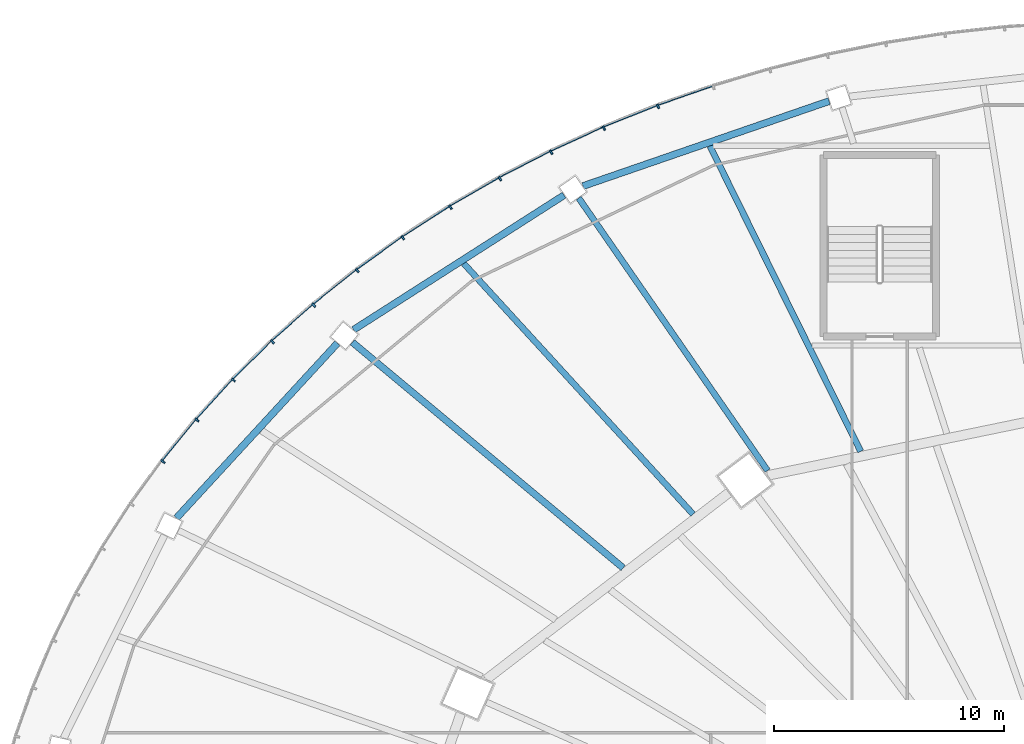
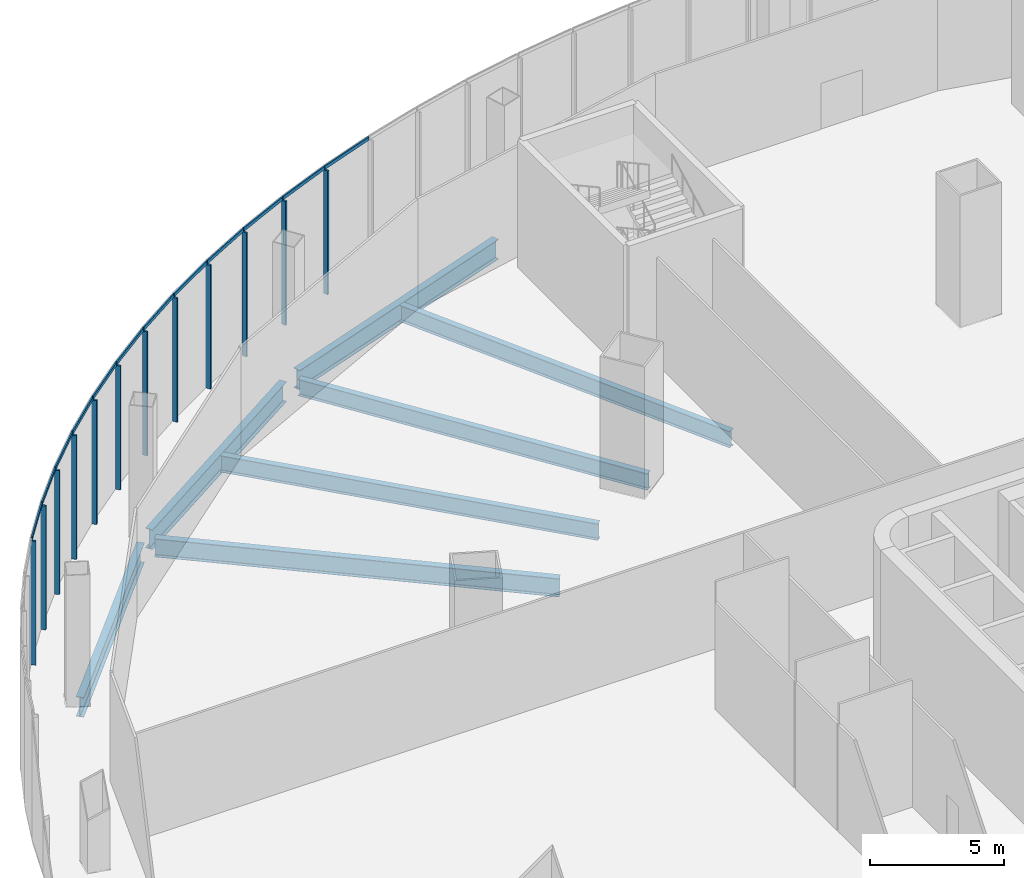
# One storey, part 13 of 37: 24 members, 7 beams, 3 elements without a shape of their own.
"""IFC4 building model written with IfcOpenShell, lengths in metres."""

from ifc_helpers import new_model, si_unit, direction, frame, origin, origin_2d, place, context, subcontext, project, spatial, rectangle, i_section, extrude, material, layer, layer_set, material_profile, profile_set, type_object, element, aggregate, save


model = new_model("IFC4")

# Units and contexts
model_context = context("Model", 3, precision=1e-05, world=origin(), true_north=direction((0.0, 1.0)))
body_context = subcontext(model_context, "Body", "Model", "MODEL_VIEW")
ifc_project = project(units=[si_unit("LENGTHUNIT", "METRE"), si_unit("AREAUNIT", "SQUARE_METRE"), si_unit("VOLUMEUNIT", "CUBIC_METRE"), si_unit("PLANEANGLEUNIT", "RADIAN"), si_unit("MASSUNIT", "GRAM", prefix="KILO")], contexts=[model_context])

# Site, building, storey
site_placement = place(None, origin())
site = spatial("IfcSite", under=ifc_project, at=site_placement, CompositionType="ELEMENT")
building_placement = place(site_placement, origin())
building = spatial("IfcBuilding", under=site, at=building_placement, Name="Sahrelin Media Tower", CompositionType="ELEMENT")
storey_placement = place(building_placement, frame((0.0, 0.0, 31.39990234375)))
storey = spatial("IfcBuildingStorey", under=building, at=storey_placement, Name="L04", CompositionType="ELEMENT", Elevation=31.39990234375)

# Curtain wall, members
ifc_material_1 = material(Name="Champagne anodised aluminium 6063-T6", Category="aluminium")
ifc_layer = layer(ifc_material_1, 0.14990234375)
ifc_layer_set = layer_set([ifc_layer], Name="Podium ribbon curtain wall")
curtain_wall_type = type_object("IfcCurtainWallType", Name="Podium ribbon curtain wall", PredefinedType="NOTDEFINED", material=ifc_layer_set)
curtain_wall_1_placement = place(storey_placement, frame((-12.94091796875, 40.56884765625, 0.0), z_axis=(0.0, 0.0, 1.0), x_axis=(1.0, 0.0, 0.0)))
curtain_wall_1 = element("IfcCurtainWall", 1, at=curtain_wall_1_placement, inside=storey, type_object=curtain_wall_type, Name="L04:CW:L04-P07", PredefinedType="NOTDEFINED")
ifc_material_profile_1 = material_profile(ifc_material_1, rectangle(XDim=0.080078125, YDim=0.199951171875, at=origin_2d()), Name="Mullion 80x200")
ifc_profile_set_1 = profile_set([ifc_material_profile_1], Name="Champagne anodised aluminium 6063-T6")
member_type_1 = type_object("IfcMemberType", Name="Mullion 80x200 CW5", PredefinedType="MULLION", material=ifc_profile_set_1)
member_1_placement = place(storey_placement, frame((-20.292236328125, 38.257568359375, 0.0), z_axis=(0.0, 0.0, 1.0), x_axis=(-0.928270482181, -0.371905783648, 0.0)))
member_1 = element("IfcMember", 2, at=member_1_placement, type_object=member_type_1, Name="L04:CWM4:L04-P07", PredefinedType="MULLION", context=body_context, shape_type="SweptSolid", body=[
    extrude(rectangle(XDim=0.080078125, YDim=0.199951171875, at=origin_2d()), origin(), (0.0, 0.0, 1.0), 5.650146484375),
])
member_2_placement = place(storey_placement, frame((-22.649658203125, 37.31298828125, 0.0), z_axis=(0.0, 0.0, 1.0), x_axis=(-0.909841810065, -0.414955275491, 0.0)))
member_2 = element("IfcMember", 3, at=member_2_placement, type_object=member_type_1, Name="L04:CWM5:L04-P07", PredefinedType="MULLION", context=body_context, shape_type="SweptSolid", body=[
    extrude(rectangle(XDim=0.080078125, YDim=0.199951171875, at=origin_2d()), origin(), (0.0, 0.0, 1.0), 5.650146484375),
])

curtain_wall_2_placement = place(storey_placement, frame((-25.0, 36.373046875, 0.0), z_axis=(0.0, 0.0, 1.0), x_axis=(1.0, 0.0, 0.0)))
curtain_wall_2 = element("IfcCurtainWall", 4, at=curtain_wall_2_placement, inside=storey, type_object=curtain_wall_type, Name="L04:CW:L04-P08", PredefinedType="NOTDEFINED")
member_3_placement = place(storey_placement, frame((-24.945068359375, 36.266357421875, 0.0), z_axis=(0.0, 0.0, 1.0), x_axis=(-0.889123403251, -0.457667536309, 0.0)))
member_3 = element("IfcMember", 5, at=member_3_placement, type_object=member_type_1, Name="L04:CWM1:L04-P08", PredefinedType="MULLION", context=body_context, shape_type="SweptSolid", body=[
    extrude(rectangle(XDim=0.080078125, YDim=0.199951171875, at=origin_2d()), origin(), (0.0, 0.0, 1.0), 5.650146484375),
])
member_4_placement = place(storey_placement, frame((-27.172119140625, 35.120361328125, 0.0), z_axis=(0.0, 0.0, 1.0), x_axis=(-0.866028894422, -0.49999395399, 0.0)))
member_4 = element("IfcMember", 6, at=member_4_placement, type_object=member_type_1, Name="L04:CWM2:L04-P08", PredefinedType="MULLION", context=body_context, shape_type="SweptSolid", body=[
    extrude(rectangle(XDim=0.080078125, YDim=0.199951171875, at=origin_2d()), origin(), (0.0, 0.0, 1.0), 5.650146484375),
])
member_5_placement = place(storey_placement, frame((-29.32421875, 33.877685546875, 0.0), z_axis=(0.0, 0.0, 1.0), x_axis=(-0.840519327336, -0.541781561494, 0.0)))
member_5 = element("IfcMember", 7, at=member_5_placement, type_object=member_type_1, Name="L04:CWM3:L04-P08", PredefinedType="MULLION", context=body_context, shape_type="SweptSolid", body=[
    extrude(rectangle(XDim=0.080078125, YDim=0.199951171875, at=origin_2d()), origin(), (0.0, 0.0, 1.0), 5.650146484375),
])
member_6_placement = place(storey_placement, frame((-31.39599609375, 32.54248046875, 0.0), z_axis=(0.0, 0.0, 1.0), x_axis=(-0.812532432251, -0.582915985834, 0.0)))
member_6 = element("IfcMember", 8, at=member_6_placement, type_object=member_type_1, Name="L04:CWM4:L04-P08", PredefinedType="MULLION", context=body_context, shape_type="SweptSolid", body=[
    extrude(rectangle(XDim=0.080078125, YDim=0.199951171875, at=origin_2d()), origin(), (0.0, 0.0, 1.0), 5.650146484375),
])
member_7_placement = place(storey_placement, frame((-33.381591796875, 31.118408203125, 0.0), z_axis=(0.0, 0.0, 1.0), x_axis=(-0.781960183728, -0.623328381405, 0.0)))
member_7 = element("IfcMember", 9, at=member_7_placement, type_object=member_type_1, Name="L04:CWM5:L04-P08", PredefinedType="MULLION", context=body_context, shape_type="SweptSolid", body=[
    extrude(rectangle(XDim=0.080078125, YDim=0.199951171875, at=origin_2d()), origin(), (0.0, 0.0, 1.0), 5.650146484375),
])

curtain_wall_3_placement = place(storey_placement, frame((-35.355224609375, 29.698486328125, 0.0), z_axis=(0.0, 0.0, 1.0), x_axis=(1.0, 0.0, 0.0)))
curtain_wall_3 = element("IfcCurtainWall", 10, at=curtain_wall_3_placement, inside=storey, type_object=curtain_wall_type, Name="L04:CW:L04-P09", PredefinedType="NOTDEFINED")
member_8_placement = place(storey_placement, frame((-35.27587890625, 29.608642578125, 0.0), z_axis=(0.0, 0.0, 1.0), x_axis=(-0.748788005735, -0.662809567272, 0.0)))
member_8 = element("IfcMember", 11, at=member_8_placement, type_object=member_type_1, Name="L04:CWM1:L04-P09", PredefinedType="MULLION", context=body_context, shape_type="SweptSolid", body=[
    extrude(rectangle(XDim=0.080078125, YDim=0.199951171875, at=origin_2d()), origin(), (0.0, 0.0, 1.0), 5.650146484375),
])
member_9_placement = place(storey_placement, frame((-37.072998046875, 28.017822265625, 0.0), z_axis=(0.0, 0.0, 1.0), x_axis=(-0.712973923933, -0.70119054742, 0.0)))
member_9 = element("IfcMember", 12, at=member_9_placement, type_object=member_type_1, Name="L04:CWM2:L04-P09", PredefinedType="MULLION", context=body_context, shape_type="SweptSolid", body=[
    extrude(rectangle(XDim=0.080078125, YDim=0.199951171875, at=origin_2d()), origin(), (0.0, 0.0, 1.0), 5.650146484375),
])
member_10_placement = place(storey_placement, frame((-38.768798828125, 26.3505859375, 0.0), z_axis=(0.0, 0.0, 1.0), x_axis=(-0.67442997344, -0.738338818514, 0.0)))
member_10 = element("IfcMember", 13, at=member_10_placement, type_object=member_type_1, Name="L04:CWM3:L04-P09", PredefinedType="MULLION", context=body_context, shape_type="SweptSolid", body=[
    extrude(rectangle(XDim=0.080078125, YDim=0.199951171875, at=origin_2d()), origin(), (0.0, 0.0, 1.0), 5.650146484375),
])
member_11_placement = place(storey_placement, frame((-40.35791015625, 24.611083984375, 0.0), z_axis=(0.0, 0.0, 1.0), x_axis=(-0.633234995933, -0.77395958546, 0.0)))
member_11 = element("IfcMember", 14, at=member_11_placement, type_object=member_type_1, Name="L04:CWM4:L04-P09", PredefinedType="MULLION", context=body_context, shape_type="SweptSolid", body=[
    extrude(rectangle(XDim=0.080078125, YDim=0.199951171875, at=origin_2d()), origin(), (0.0, 0.0, 1.0), 5.650146484375),
])
member_12_placement = place(storey_placement, frame((-41.836669921875, 22.80419921875, 0.0), z_axis=(0.0, 0.0, 1.0), x_axis=(-0.589385309161, -0.807852064022, 0.0)))
member_12 = element("IfcMember", 15, at=member_12_placement, type_object=member_type_1, Name="L04:CWM5:L04-P09", PredefinedType="MULLION", context=body_context, shape_type="SweptSolid", body=[
    extrude(rectangle(XDim=0.080078125, YDim=0.199951171875, at=origin_2d()), origin(), (0.0, 0.0, 1.0), 5.650146484375),
])

# Beams
ifc_material_2 = material(Name="Steel S355", Category="steel")
ifc_material_profile_2 = material_profile(ifc_material_2, i_section(OverallWidth=0.30322265625, OverallDepth=0.903076171875, WebThickness=0.01513671875, FlangeThickness=0.020263671875, FilletRadius=0.01904296875, at=origin_2d()), Name="UB 914x305x201")
ifc_profile_set_2 = profile_set([ifc_material_profile_2], Name="Steel S355")
beam_type_1 = type_object("IfcBeamType", Name="Podium edge girder PE11", PredefinedType="BEAM", material=ifc_profile_set_2)
beam_1_placement = place(storey_placement, frame((-12.848876953125, 38.489990234375, -0.6513671875), z_axis=(-0.94527240249, -0.32628221694, 0.0), x_axis=(0.32628221694, -0.94527240249, 0.0)))
element("IfcBeam", 16, at=beam_1_placement, inside=storey, type_object=beam_type_1, Name="Podium edge girder L04-08", PredefinedType="BEAM", context=body_context, shape_type="SweptSolid", body=[
    extrude(i_section(OverallWidth=0.30322265625, OverallDepth=0.903076171875, WebThickness=0.01513671875, FlangeThickness=0.020263671875, FilletRadius=0.01904296875, at=origin_2d()), origin(), (0.0, 0.0, 1.0), 11.329345703125),
])
beam_2_placement = place(storey_placement, frame((-24.37939453125, 34.3984375, -0.6513671875), z_axis=(-0.842485743715, -0.538718638657, 0.0), x_axis=(0.538718638657, -0.842485743715, 0.0)))
element("IfcBeam", 17, at=beam_2_placement, inside=storey, type_object=beam_type_1, Name="Podium edge girder L04-09", PredefinedType="BEAM", context=body_context, shape_type="SweptSolid", body=[
    extrude(i_section(OverallWidth=0.30322265625, OverallDepth=0.903076171875, WebThickness=0.01513671875, FlangeThickness=0.020263671875, FilletRadius=0.01904296875, at=origin_2d()), origin(), (0.0, 0.0, 1.0), 10.87744140625),
])
beam_3_placement = place(storey_placement, frame((-34.246337890625, 27.952880859375, -0.6513671875), z_axis=(-0.677370529771, -0.735642008995, 0.0), x_axis=(0.735642008995, -0.677370529771, 0.0)))
element("IfcBeam", 18, at=beam_3_placement, inside=storey, type_object=beam_type_1, Name="Podium edge girder L04-10", PredefinedType="BEAM", context=body_context, shape_type="SweptSolid", body=[
    extrude(i_section(OverallWidth=0.30322265625, OverallDepth=0.903076171875, WebThickness=0.01513671875, FlangeThickness=0.020263671875, FilletRadius=0.01904296875, at=origin_2d()), origin(), (0.0, 0.0, 1.0), 10.340087890625),
])
ifc_material_profile_3 = material_profile(ifc_material_2, i_section(OverallWidth=0.291748046875, OverallDepth=0.8349609375, WebThickness=0.013916015625, FlangeThickness=0.018798828125, FilletRadius=0.017822265625, at=origin_2d()), Name="UB 838x292x176")
ifc_profile_set_3 = profile_set([ifc_material_profile_3], Name="Steel S355")
beam_type_2 = type_object("IfcBeamType", Name="Radial primary beam PB10", PredefinedType="BEAM", material=ifc_profile_set_3)
beam_4_placement = place(storey_placement, frame((-21.809326171875, 18.174560546875, -0.6171875), z_axis=(-0.768229105739, 0.640175008178, 0.0), x_axis=(-0.640175008178, -0.768229105739, 0.0)))
element("IfcBeam", 19, at=beam_4_placement, inside=storey, type_object=beam_type_2, Name="Radial beam L04-12", PredefinedType="BEAM", context=body_context, shape_type="SweptSolid", body=[
    extrude(i_section(OverallWidth=0.291748046875, OverallDepth=0.8349609375, WebThickness=0.013916015625, FlangeThickness=0.018798828125, FilletRadius=0.017822265625, at=origin_2d()), origin(), (0.0, 0.0, 1.0), 15.342041015625),
])
ifc_material_profile_4 = material_profile(ifc_material_2, i_section(OverallWidth=0.26513671875, OverallDepth=0.75390625, WebThickness=0.0126953125, FlangeThickness=0.017578125, FilletRadius=0.0166015625, at=origin_2d()), Name="UB 762x267x147")
ifc_profile_set_4 = profile_set([ifc_material_profile_4], Name="Steel S355")
beam_type_3 = type_object("IfcBeamType", Name="Radial primary beam PB9", PredefinedType="BEAM", material=ifc_profile_set_4)
beam_5_placement = place(storey_placement, frame((-15.527099609375, 22.411376953125, -0.576904296875), z_axis=(-0.569493278726, 0.821995988729, 0.0), x_axis=(-0.821995988729, -0.569493278726, 0.0)))
element("IfcBeam", 20, at=beam_5_placement, inside=storey, type_object=beam_type_3, Name="Radial beam L04-11", PredefinedType="BEAM", context=body_context, shape_type="SweptSolid", body=[
    extrude(i_section(OverallWidth=0.26513671875, OverallDepth=0.75390625, WebThickness=0.0126953125, FlangeThickness=0.017578125, FilletRadius=0.0166015625, at=origin_2d()), origin(), (0.0, 0.0, 1.0), 14.427734375),
])
ifc_material_profile_5 = material_profile(ifc_material_2, i_section(OverallWidth=0.26513671875, OverallDepth=0.75390625, WebThickness=0.0126953125, FlangeThickness=0.017578125, FilletRadius=0.0166015625, at=origin_2d()), Name="UB 762x267x147")
ifc_profile_set_5 = profile_set([ifc_material_profile_5], Name="Steel S355")
beam_type_4 = type_object("IfcBeamType", Name="Radial secondary beam SB9", PredefinedType="BEAM", material=ifc_profile_set_5)
beam_6_placement = place(storey_placement, frame((-11.47412109375, 23.247314453125, -0.576904296875), z_axis=(-0.442602611298, 0.896717864477, 0.0), x_axis=(-0.896717864477, -0.442602611298, 0.0)))
element("IfcBeam", 21, at=beam_6_placement, inside=storey, type_object=beam_type_4, Name="Secondary beam L04-08", PredefinedType="BEAM", context=body_context, shape_type="SweptSolid", body=[
    extrude(i_section(OverallWidth=0.26513671875, OverallDepth=0.75390625, WebThickness=0.0126953125, FlangeThickness=0.017578125, FilletRadius=0.0166015625, at=origin_2d()), origin(), (0.0, 0.0, 1.0), 14.8232421875),
])
beam_7_placement = place(storey_placement, frame((-18.7685546875, 20.514892578125, -0.576904296875), z_axis=(-0.675004282666, 0.737813810106, 0.0), x_axis=(-0.737813810106, -0.675004282666, 0.0)))
element("IfcBeam", 22, at=beam_7_placement, inside=storey, type_object=beam_type_4, Name="Secondary beam L04-09", PredefinedType="BEAM", context=body_context, shape_type="SweptSolid", body=[
    extrude(i_section(OverallWidth=0.26513671875, OverallDepth=0.75390625, WebThickness=0.0126953125, FlangeThickness=0.017578125, FilletRadius=0.0166015625, at=origin_2d()), origin(), (0.0, 0.0, 1.0), 14.7861328125),
])

# Member
ifc_material_profile_6 = material_profile(ifc_material_1, rectangle(XDim=0.06005859375, YDim=0.14990234375, at=origin_2d()), Name="Transom 60x150")
ifc_profile_set_6 = profile_set([ifc_material_profile_6], Name="Champagne anodised aluminium 6063-T6")
member_type_2 = type_object("IfcMemberType", Name="Transom 60x150 CW5", PredefinedType="USERDEFINED", material=ifc_profile_set_6)
member_13_placement = place(storey_placement, frame((-17.94921875, 39.146728515625, 5.72509765625), z_axis=(-0.944469242615, -0.328599832248, 0.0), x_axis=(0.328599832248, -0.944469242615, 0.0)))
member_13 = element("IfcMember", 23, at=member_13_placement, type_object=member_type_2, Name="L04:CWT3a:L04-P07", ObjectType="TRANSOM", PredefinedType="USERDEFINED", context=body_context, shape_type="SweptSolid", body=[
    extrude(rectangle(XDim=0.06005859375, YDim=0.14990234375, at=origin_2d()), origin(), (0.0, 0.0, 1.0), 2.510498046875),
])

member_14_placement = place(storey_placement, frame((-20.364501953125, 38.303955078125, 5.72509765625), z_axis=(-0.928280887293, -0.371879811615, 0.0), x_axis=(0.371879811615, -0.928280887293, 0.0)))
member_14 = element("IfcMember", 24, at=member_14_placement, type_object=member_type_2, Name="L04:CWT4a:L04-P07", ObjectType="TRANSOM", PredefinedType="USERDEFINED", context=body_context, shape_type="SweptSolid", body=[
    extrude(rectangle(XDim=0.06005859375, YDim=0.14990234375, at=origin_2d()), origin(), (0.0, 0.0, 1.0), 2.495361328125),
])

member_15_placement = place(storey_placement, frame((-22.72412109375, 37.356201171875, 5.72509765625), z_axis=(-0.909832749786, -0.414975140722, 0.0), x_axis=(0.414975140722, -0.909832749786, 0.0)))
member_15 = element("IfcMember", 25, at=member_15_placement, type_object=member_type_2, Name="L04:CWT5a:L04-P07", ObjectType="TRANSOM", PredefinedType="USERDEFINED", context=body_context, shape_type="SweptSolid", body=[
    extrude(rectangle(XDim=0.06005859375, YDim=0.14990234375, at=origin_2d()), origin(), (0.0, 0.0, 1.0), 2.478515625),
])

aggregate(curtain_wall_1, [member_13, member_1, member_14, member_2, member_15])

member_16_placement = place(storey_placement, frame((-25.021484375, 36.305908203125, 5.72509765625), z_axis=(-0.88908592798, -0.457740333233, 0.0), x_axis=(0.457740333233, -0.88908592798, 0.0)))
member_16 = element("IfcMember", 26, at=member_16_placement, type_object=member_type_2, Name="L04:CWT1a:L04-P08", ObjectType="TRANSOM", PredefinedType="USERDEFINED", context=body_context, shape_type="SweptSolid", body=[
    extrude(rectangle(XDim=0.06005859375, YDim=0.14990234375, at=origin_2d()), origin(), (0.0, 0.0, 1.0), 2.46044921875),
])

member_17_placement = place(storey_placement, frame((-27.250244140625, 35.156005859375, 5.72509765625), z_axis=(-0.86599404773, -0.500054306346, 0.0), x_axis=(0.500054306346, -0.86599404773, 0.0)))
member_17 = element("IfcMember", 27, at=member_17_placement, type_object=member_type_2, Name="L04:CWT2a:L04-P08", ObjectType="TRANSOM", PredefinedType="USERDEFINED", context=body_context, shape_type="SweptSolid", body=[
    extrude(rectangle(XDim=0.06005859375, YDim=0.14990234375, at=origin_2d()), origin(), (0.0, 0.0, 1.0), 2.441162109375),
])

member_18_placement = place(storey_placement, frame((-29.404296875, 33.90966796875, 5.72509765625), z_axis=(-0.840515923585, -0.541786842033, 0.0), x_axis=(0.541786842033, -0.840515923585, 0.0)))
member_18 = element("IfcMember", 28, at=member_18_placement, type_object=member_type_2, Name="L04:CWT3a:L04-P08", ObjectType="TRANSOM", PredefinedType="USERDEFINED", context=body_context, shape_type="SweptSolid", body=[
    extrude(rectangle(XDim=0.06005859375, YDim=0.14990234375, at=origin_2d()), origin(), (0.0, 0.0, 1.0), 2.420654296875),
])

member_19_placement = place(storey_placement, frame((-31.4775390625, 32.5703125, 5.72509765625), z_axis=(-0.812528823306, -0.582921016345, 0.0), x_axis=(0.582921016345, -0.812528823306, 0.0)))
member_19 = element("IfcMember", 29, at=member_19_placement, type_object=member_type_2, Name="L04:CWT4a:L04-P08", ObjectType="TRANSOM", PredefinedType="USERDEFINED", context=body_context, shape_type="SweptSolid", body=[
    extrude(rectangle(XDim=0.06005859375, YDim=0.14990234375, at=origin_2d()), origin(), (0.0, 0.0, 1.0), 2.39990234375),
])

member_20_placement = place(storey_placement, frame((-33.46435546875, 31.141845703125, 5.72509765625), z_axis=(-0.781989191913, -0.623291989144, 0.0), x_axis=(0.623291989144, -0.781989191913, 0.0)))
member_20 = element("IfcMember", 30, at=member_20_placement, type_object=member_type_2, Name="L04:CWT5a:L04-P08", ObjectType="TRANSOM", PredefinedType="USERDEFINED", context=body_context, shape_type="SweptSolid", body=[
    extrude(rectangle(XDim=0.06005859375, YDim=0.14990234375, at=origin_2d()), origin(), (0.0, 0.0, 1.0), 2.37841796875),
])

aggregate(curtain_wall_2, [member_3, member_16, member_4, member_17, member_5, member_18, member_6, member_19, member_7, member_20])

member_21_placement = place(storey_placement, frame((-35.359619140625, 29.6279296875, 5.72509765625), z_axis=(-0.74879678706, -0.662799646717, 0.0), x_axis=(0.662799646717, -0.74879678706, 0.0)))
member_21 = element("IfcMember", 31, at=member_21_placement, type_object=member_type_2, Name="L04:CWT1a:L04-P09", ObjectType="TRANSOM", PredefinedType="USERDEFINED", context=body_context, shape_type="SweptSolid", body=[
    extrude(rectangle(XDim=0.06005859375, YDim=0.14990234375, at=origin_2d()), origin(), (0.0, 0.0, 1.0), 2.356201171875),
])

member_22_placement = place(storey_placement, frame((-37.15771484375, 28.03271484375, 5.72509765625), z_axis=(-0.713042850278, -0.70112045589, 0.0), x_axis=(0.70112045589, -0.713042850278, 0.0)))
member_22 = element("IfcMember", 32, at=member_22_placement, type_object=member_type_2, Name="L04:CWT2a:L04-P09", ObjectType="TRANSOM", PredefinedType="USERDEFINED", context=body_context, shape_type="SweptSolid", body=[
    extrude(rectangle(XDim=0.06005859375, YDim=0.14990234375, at=origin_2d()), origin(), (0.0, 0.0, 1.0), 2.33447265625),
])

member_23_placement = place(storey_placement, frame((-38.85400390625, 26.36083984375, 5.72509765625), z_axis=(-0.674452068042, -0.738318635762, 0.0), x_axis=(0.738318635762, -0.674452068042, 0.0)))
member_23 = element("IfcMember", 33, at=member_23_placement, type_object=member_type_2, Name="L04:CWT3a:L04-P09", ObjectType="TRANSOM", PredefinedType="USERDEFINED", context=body_context, shape_type="SweptSolid", body=[
    extrude(rectangle(XDim=0.06005859375, YDim=0.14990234375, at=origin_2d()), origin(), (0.0, 0.0, 1.0), 2.312744140625),
])

member_24_placement = place(storey_placement, frame((-40.44384765625, 24.61669921875, 5.72509765625), z_axis=(-0.633168167393, -0.774014258137, 0.0), x_axis=(0.774014258137, -0.633168167393, 0.0)))
member_24 = element("IfcMember", 34, at=member_24_placement, type_object=member_type_2, Name="L04:CWT4a:L04-P09", ObjectType="TRANSOM", PredefinedType="USERDEFINED", context=body_context, shape_type="SweptSolid", body=[
    extrude(rectangle(XDim=0.06005859375, YDim=0.14990234375, at=origin_2d()), origin(), (0.0, 0.0, 1.0), 2.29150390625),
])

aggregate(curtain_wall_3, [member_8, member_21, member_9, member_22, member_10, member_23, member_11, member_24, member_12])

save(model, "model.ifc")
